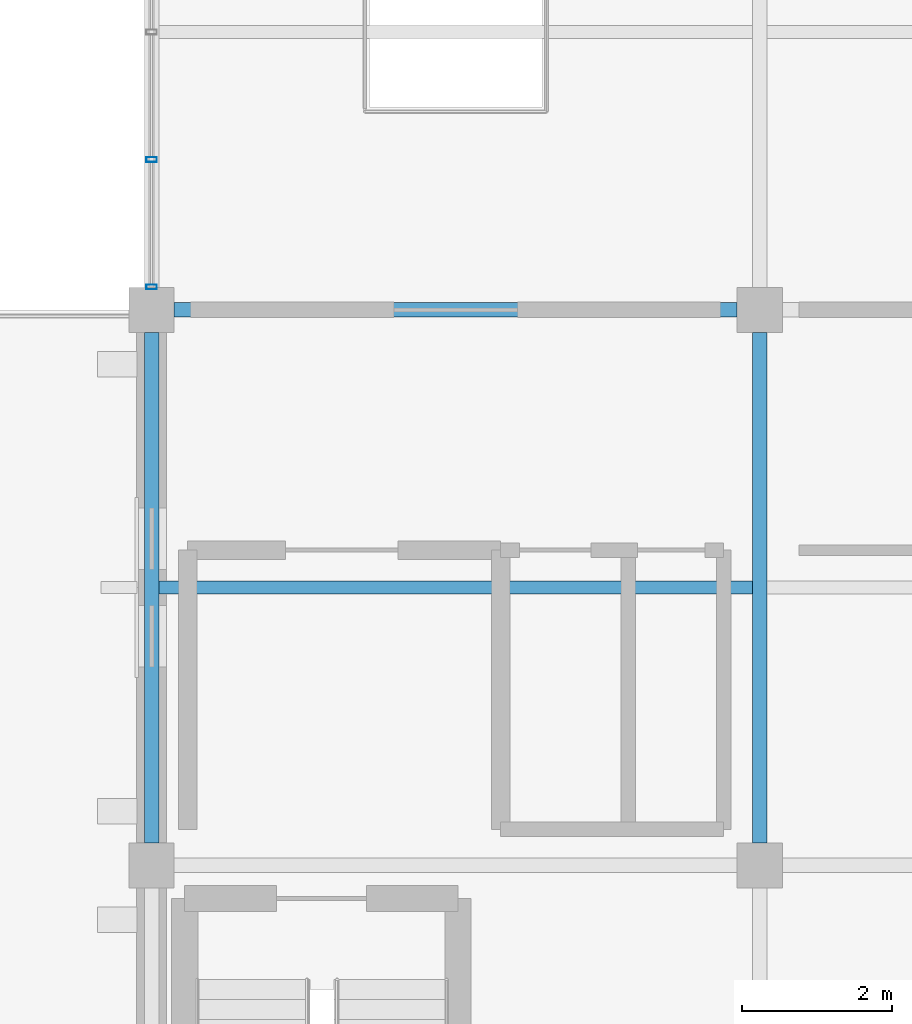
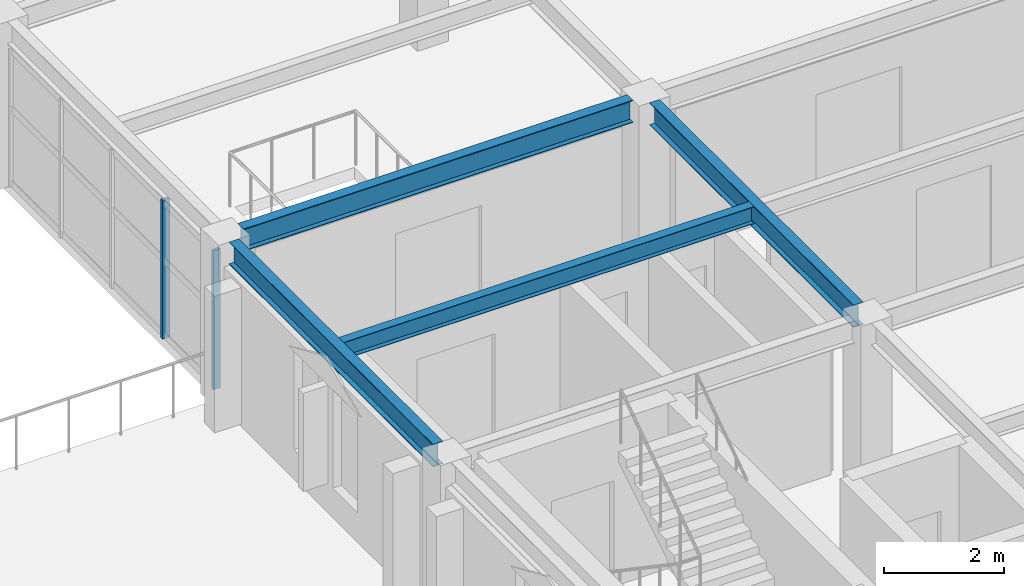
# One storey, part 14 of 121: 4 beams, 2 members, 1 element without a shape of its own.
"""IFC4 building model written with IfcOpenShell, lengths in metres."""

from ifc_helpers import new_model, si_unit, direction, frame, origin, origin_2d, place, context, subcontext, project, spatial, hollow_rectangle, i_section, extrude, material, material_profile, profile_set, type_object, element, aggregate, save


model = new_model("IFC4")

# Units and contexts
model_context = context("Model", 3, precision=1e-05, world=origin(), true_north=direction((0.0, 1.0)))
body_context = subcontext(model_context, "Body", "Model", "MODEL_VIEW")
ifc_project = project(units=[si_unit("LENGTHUNIT", "METRE"), si_unit("AREAUNIT", "SQUARE_METRE"), si_unit("VOLUMEUNIT", "CUBIC_METRE"), si_unit("PLANEANGLEUNIT", "RADIAN"), si_unit("MASSUNIT", "GRAM", prefix="KILO")], contexts=[model_context])

# Site, building, storey
site_placement = place(None, origin())
site = spatial("IfcSite", under=ifc_project, at=site_placement, CompositionType="ELEMENT")
building_placement = place(site_placement, origin())
building = spatial("IfcBuilding", under=site, at=building_placement, Name="Cimatlan Art Gallery", CompositionType="ELEMENT")
storey_placement = place(building_placement, frame((0.0, 0.0, 10.199951171875)))
storey = spatial("IfcBuildingStorey", under=building, at=storey_placement, Name="L02", CompositionType="ELEMENT", Elevation=10.199951171875)

# Beams
ifc_material_1 = material(Name="Steel ASTM A992 Grade 50", Category="steel")
ifc_material_profile_1 = material_profile(ifc_material_1, i_section(OverallWidth=0.1708984375, OverallDepth=0.35107421875, WebThickness=0.0068359375, FlangeThickness=0.009765625, at=origin_2d()), Name="W14X30")
ifc_profile_set_1 = profile_set([ifc_material_profile_1], Name="Steel ASTM A992 Grade 50")
beam_type_1 = type_object("IfcBeamType", Name="BM-STL-W14X30", PredefinedType="JOIST", material=ifc_profile_set_1)
beam_1_placement = place(storey_placement, frame((34.49560546875, 35.0, 3.194580078125), z_axis=(1.0, 0.0, 0.0), x_axis=(0.0, 1.0, 0.0)))
element("IfcBeam", 1, at=beam_1_placement, inside=storey, type_object=beam_type_1, Name="JST-L02-04-04", PredefinedType="JOIST", context=body_context, shape_type="SweptSolid", body=[
    extrude(i_section(OverallWidth=0.1708984375, OverallDepth=0.35107421875, WebThickness=0.0068359375, FlangeThickness=0.009765625, at=origin_2d()), origin(), (0.0, 0.0, 1.0), 7.908935546875),
])
ifc_material_profile_2 = material_profile(ifc_material_1, i_section(OverallWidth=0.19091796875, OverallDepth=0.45703125, WebThickness=0.009033203125, FlangeThickness=0.014404296875, at=origin_2d()), Name="W18X50")
ifc_profile_set_2 = profile_set([ifc_material_profile_2], Name="Steel ASTM A992 Grade 50")
beam_type_2 = type_object("IfcBeamType", Name="BM-STL-W18X50", PredefinedType="BEAM", material=ifc_profile_set_2)
for number, where, z_axis, x_axis, name in (
    (2, (34.39990234375, 31.60009765625, 3.1416015625), (0.0, 1.0, 0.0), (-1.0, 0.0, 0.0), "BM-Y-L02-04-04"),
    (3, (42.5, 31.60009765625, 3.1416015625), (0.0, 1.0, 0.0), (-1.0, 0.0, 0.0), "BM-Y-L02-05-04"),
):
    element("IfcBeam", number, at=place(storey_placement, frame(where, z_axis=z_axis, x_axis=x_axis)), inside=storey, type_object=beam_type_2, Name=name, PredefinedType="BEAM", context=body_context, shape_type="SweptSolid", body=[
        extrude(i_section(OverallWidth=0.19091796875, OverallDepth=0.45703125, WebThickness=0.009033203125, FlangeThickness=0.014404296875, at=origin_2d()), origin(), (0.0, 0.0, 1.0), 6.7998046875),
    ])
beam_2_placement = place(storey_placement, frame((34.699951171875, 38.699951171875, 3.1416015625), z_axis=(1.0, 0.0, 0.0), x_axis=(0.0, 1.0, 0.0)))
element("IfcBeam", 4, at=beam_2_placement, inside=storey, type_object=beam_type_2, Name="BM-X-L02-04-05", PredefinedType="BEAM", context=body_context, shape_type="SweptSolid", body=[
    extrude(i_section(OverallWidth=0.19091796875, OverallDepth=0.45703125, WebThickness=0.009033203125, FlangeThickness=0.014404296875, at=origin_2d()), origin(), (0.0, 0.0, 1.0), 7.5),
])

# Curtain wall, members
ifc_material_2 = material(Name="Anodised bronze unitised curtain wall")
curtain_wall_type = type_object("IfcCurtainWallType", Name="CW-V-06792X02823-B4", PredefinedType="NOTDEFINED", material=ifc_material_2)
curtain_wall_placement = place(storey_placement, origin())
curtain_wall = element("IfcCurtainWall", 5, at=curtain_wall_placement, inside=storey, type_object=curtain_wall_type, Name="CW-L02-04-05-W", PredefinedType="NOTDEFINED")
ifc_material_3 = material(Name="Anodised bronze aluminium 6063-T6", Category="aluminium")
ifc_material_profile_3 = material_profile(ifc_material_3, hollow_rectangle(XDim=0.06494140625, YDim=0.139892578125, WallThickness=0.00390625, at=origin_2d()), Name="ALU65X140X4")
ifc_profile_set_3 = profile_set([ifc_material_profile_3], Name="Anodised bronze aluminium 6063-T6")
member_type = type_object("IfcMemberType", Name="CW-MUL-140", PredefinedType="MULLION", material=ifc_profile_set_3)
member_1_placement = place(storey_placement, frame((34.39990234375, 39.00390625, 0.0), z_axis=(0.0, 0.0, 1.0), x_axis=(0.0, 1.0, 0.0)))
member_1 = element("IfcMember", 6, at=member_1_placement, type_object=member_type, Name="CW-L02-04-05-W-M1", PredefinedType="MULLION", context=body_context, shape_type="SweptSolid", body=[
    extrude(hollow_rectangle(XDim=0.06494140625, YDim=0.139892578125, WallThickness=0.00390625, at=origin_2d()), origin(), (0.0, 0.0, 1.0), 2.822998046875),
])
member_2_placement = place(storey_placement, frame((34.39990234375, 40.701904296875, 0.0), z_axis=(0.0, 0.0, 1.0), x_axis=(0.0, 1.0, 0.0)))
member_2 = element("IfcMember", 7, at=member_2_placement, type_object=member_type, Name="CW-L02-04-05-W-M2", PredefinedType="MULLION", context=body_context, shape_type="SweptSolid", body=[
    extrude(hollow_rectangle(XDim=0.06494140625, YDim=0.139892578125, WallThickness=0.00390625, at=origin_2d()), origin(), (0.0, 0.0, 1.0), 2.822998046875),
])
aggregate(curtain_wall, [member_1, member_2])

save(model, "model.ifc")
